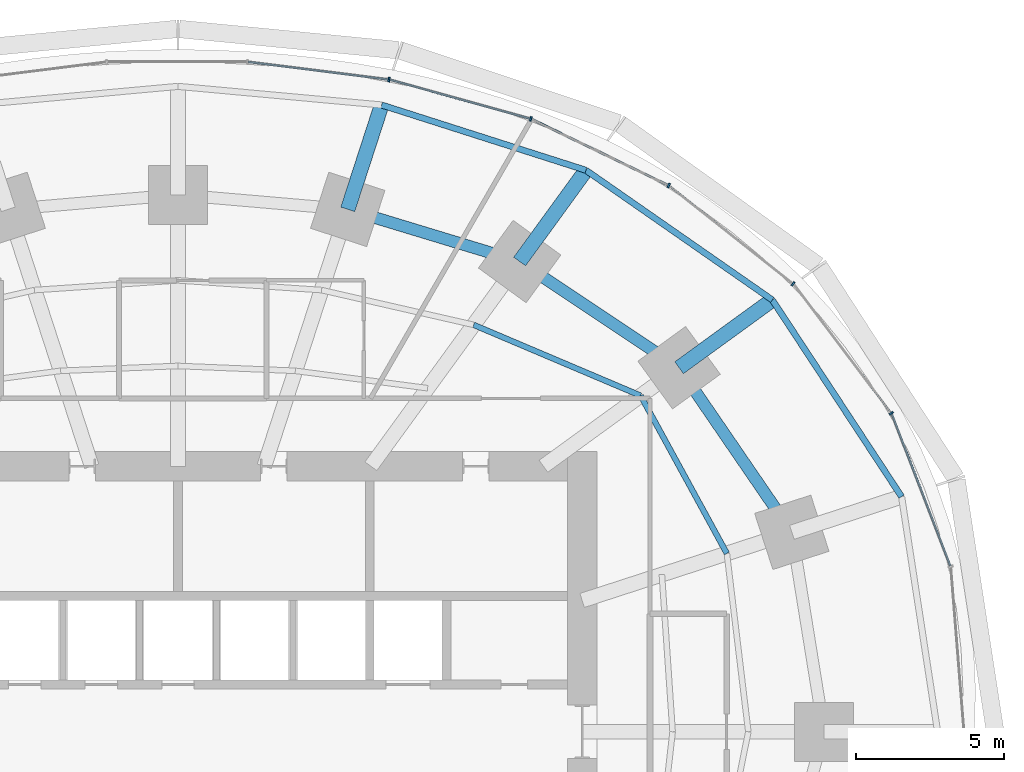
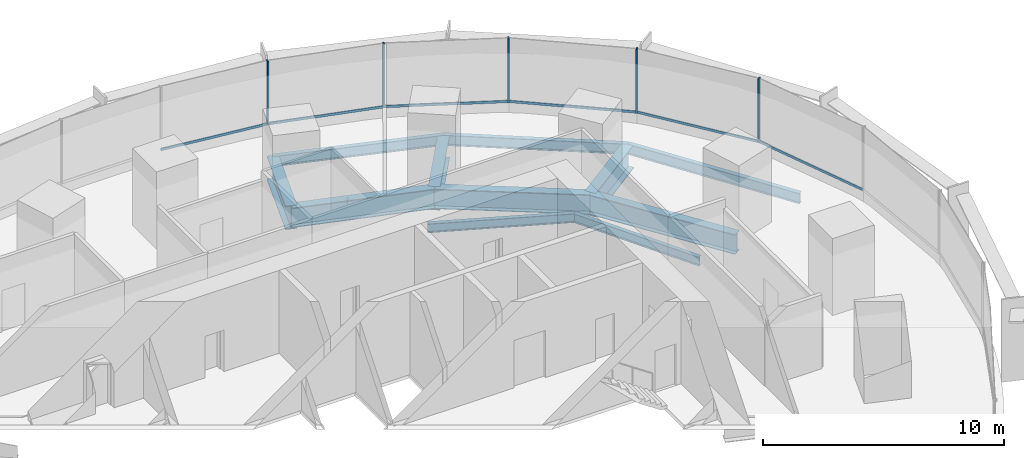
# One storey, part 9 of 15: 11 beams, 11 members, 2 elements without a shape of their own.
"""IFC4 building model written with IfcOpenShell, lengths in metres."""

from ifc_helpers import new_model, si_unit, direction, frame, origin, origin_2d, place, context, subcontext, project, spatial, rectangle, i_section, extrude, material, material_profile, profile_set, type_object, element, aggregate, save


model = new_model("IFC4")

# Units and contexts
model_context = context("Model", 3, precision=1e-05, world=origin(), true_north=direction((0.0, 1.0)))
body_context = subcontext(model_context, "Body", "Model", "MODEL_VIEW")
ifc_project = project(units=[si_unit("LENGTHUNIT", "METRE"), si_unit("AREAUNIT", "SQUARE_METRE"), si_unit("VOLUMEUNIT", "CUBIC_METRE"), si_unit("PLANEANGLEUNIT", "RADIAN"), si_unit("MASSUNIT", "GRAM", prefix="KILO")], contexts=[model_context])

# Site, building, storey
site_placement = place(None, origin())
site = spatial("IfcSite", under=ifc_project, at=site_placement, CompositionType="ELEMENT")
building_placement = place(site_placement, origin())
building = spatial("IfcBuilding", under=site, at=building_placement, Name="Marramba Exchange Tower", CompositionType="ELEMENT")
storey_placement = place(building_placement, frame((0.0, 0.0, 44.800048828125)))
storey = spatial("IfcBuildingStorey", under=building, at=storey_placement, Name="L10", CompositionType="ELEMENT", Elevation=44.800048828125)

# Beams
ifc_material_1 = material(Name="Steel AS/NZS 3679.2 grade 300", Category="steel")
ifc_material_profile_1 = material_profile(ifc_material_1, i_section(OverallWidth=0.5, OverallDepth=1.199951171875, WebThickness=0.01611328125, FlangeThickness=0.0400390625, at=origin_2d()), Name="1200WB455")
ifc_profile_set_1 = profile_set([ifc_material_profile_1], Name="Steel AS/NZS 3679.2 grade 300")
beam_type_1 = type_object("IfcBeamType", Name="Cantilever girder 1200WB455", PredefinedType="BEAM", material=ifc_profile_set_1)
beam_1_placement = place(storey_placement, frame((16.98583984375, 12.3408203125, -0.760009765625), z_axis=(0.808987260856, 0.587826174793, 0.0), x_axis=(-0.587826174793, 0.808987260856, 0.0)))
element("IfcBeam", 1, at=beam_1_placement, inside=storey, type_object=beam_type_1, Name="Cantilever girder L10 TC03", PredefinedType="BEAM", context=body_context, shape_type="SweptSolid", body=[
    extrude(i_section(OverallWidth=0.5, OverallDepth=1.199951171875, WebThickness=0.01611328125, FlangeThickness=0.0400390625, at=origin_2d()), origin(), (0.0, 0.0, 1.0), 3.90771484375),
])
beam_2_placement = place(storey_placement, frame((11.581298828125, 15.9404296875, -0.760009765625), z_axis=(0.587795827483, 0.809009310944, 0.0), x_axis=(-0.809009310944, 0.587795827483, 0.0)))
element("IfcBeam", 2, at=beam_2_placement, inside=storey, type_object=beam_type_1, Name="Cantilever girder L10 TC04", PredefinedType="BEAM", context=body_context, shape_type="SweptSolid", body=[
    extrude(i_section(OverallWidth=0.5, OverallDepth=1.199951171875, WebThickness=0.01611328125, FlangeThickness=0.0400390625, at=origin_2d()), origin(), (0.0, 0.0, 1.0), 3.82421875),
])
beam_3_placement = place(storey_placement, frame((5.75390625, 17.70849609375, -0.760009765625), z_axis=(0.308973290646, 0.951070715387, 0.0), x_axis=(-0.951070715387, 0.308973290646, 0.0)))
element("IfcBeam", 3, at=beam_3_placement, inside=storey, type_object=beam_type_1, Name="Cantilever girder L10 TC05", PredefinedType="BEAM", context=body_context, shape_type="SweptSolid", body=[
    extrude(i_section(OverallWidth=0.5, OverallDepth=1.199951171875, WebThickness=0.01611328125, FlangeThickness=0.0400390625, at=origin_2d()), origin(), (0.0, 0.0, 1.0), 3.72021484375),
])
ifc_material_2 = material(Name="Steel AS/NZS 3679.1 grade 300", Category="steel")
ifc_material_profile_2 = material_profile(ifc_material_2, i_section(OverallWidth=0.18994140625, OverallDepth=0.4541015625, WebThickness=0.008544921875, FlangeThickness=0.0126953125, FilletRadius=0.011474609375, at=origin_2d()), Name="460UB67.1")
ifc_profile_set_2 = profile_set([ifc_material_profile_2], Name="Steel AS/NZS 3679.1 grade 300")
beam_type_2 = type_object("IfcBeamType", Name="Floor joist 460UB67.1", PredefinedType="JOIST", material=ifc_profile_set_2)
beam_4_placement = place(storey_placement, frame((18.60546875, 6.04541015625, -0.386962890625), z_axis=(-0.479584443791, 0.877495732909, 0.0), x_axis=(-0.877495732909, -0.479584443791, 0.0)))
element("IfcBeam", 4, at=beam_4_placement, inside=storey, type_object=beam_type_2, Name="Joist L10 bay 02 row 2", PredefinedType="JOIST", context=body_context, shape_type="SweptSolid", body=[
    extrude(i_section(OverallWidth=0.18994140625, OverallDepth=0.4541015625, WebThickness=0.008544921875, FlangeThickness=0.0126953125, FilletRadius=0.011474609375, at=origin_2d()), origin(), (0.0, 0.0, 1.0), 6.094970703125),
])
beam_5_placement = place(storey_placement, frame((15.682373046875, 11.393798828125, -0.386962890625), z_axis=(-0.920674336375, 0.390331610738, 0.0), x_axis=(-0.390331610738, -0.920674336375, 0.0)))
element("IfcBeam", 5, at=beam_5_placement, inside=storey, type_object=beam_type_2, Name="Joist L10 bay 03 row 2", PredefinedType="JOIST", context=body_context, shape_type="SweptSolid", body=[
    extrude(i_section(OverallWidth=0.18994140625, OverallDepth=0.4541015625, WebThickness=0.008544921875, FlangeThickness=0.0126953125, FilletRadius=0.011474609375, at=origin_2d()), origin(), (0.0, 0.0, 1.0), 6.1484375),
])
ifc_material_profile_3 = material_profile(ifc_material_1, i_section(OverallWidth=0.39990234375, OverallDepth=1.0, WebThickness=0.01611328125, FlangeThickness=0.031982421875, at=origin_2d()), Name="1000WB322")
ifc_profile_set_3 = profile_set([ifc_material_profile_3], Name="Steel AS/NZS 3679.2 grade 300")
beam_type_3 = type_object("IfcBeamType", Name="Ring beam 1000WB322", PredefinedType="SPANDREL", material=ifc_profile_set_3)
beam_6_placement = place(storey_placement, frame((20.808349609375, 6.760986328125, -0.66015625), z_axis=(-0.56516002054, 0.824981303535, 0.0), x_axis=(-0.824981303535, -0.56516002054, 0.0)))
element("IfcBeam", 6, at=beam_6_placement, inside=storey, type_object=beam_type_3, Name="Ring beam L10 TC02-TC03", PredefinedType="SPANDREL", context=body_context, shape_type="SweptSolid", body=[
    extrude(i_section(OverallWidth=0.39990234375, OverallDepth=1.0, WebThickness=0.01611328125, FlangeThickness=0.031982421875, at=origin_2d()), origin(), (0.0, 0.0, 1.0), 6.763671875),
])
beam_7_placement = place(storey_placement, frame((16.98583984375, 12.3408203125, -0.66015625), z_axis=(-0.832293151443, 0.554335737673, 0.0), x_axis=(-0.554335737673, -0.832293151443, 0.0)))
element("IfcBeam", 7, at=beam_7_placement, inside=storey, type_object=beam_type_3, Name="Ring beam L10 TC03-TC04", PredefinedType="SPANDREL", context=body_context, shape_type="SweptSolid", body=[
    extrude(i_section(OverallWidth=0.39990234375, OverallDepth=1.0, WebThickness=0.01611328125, FlangeThickness=0.031982421875, at=origin_2d()), origin(), (0.0, 0.0, 1.0), 6.49365234375),
])
beam_8_placement = place(storey_placement, frame((11.581298828125, 15.9404296875, -0.66015625), z_axis=(-0.956924542524, 0.290336735387, 0.0), x_axis=(-0.290336735387, -0.956924542524, 0.0)))
element("IfcBeam", 8, at=beam_8_placement, inside=storey, type_object=beam_type_3, Name="Ring beam L10 TC04-TC05", PredefinedType="SPANDREL", context=body_context, shape_type="SweptSolid", body=[
    extrude(i_section(OverallWidth=0.39990234375, OverallDepth=1.0, WebThickness=0.01611328125, FlangeThickness=0.031982421875, at=origin_2d()), origin(), (0.0, 0.0, 1.0), 6.089599609375),
])
ifc_material_profile_4 = material_profile(ifc_material_2, i_section(OverallWidth=0.208984375, OverallDepth=0.528076171875, WebThickness=0.009521484375, FlangeThickness=0.01318359375, FilletRadius=0.013916015625, at=origin_2d()), Name="530UB82.0")
ifc_profile_set_4 = profile_set([ifc_material_profile_4], Name="Steel AS/NZS 3679.1 grade 300")
beam_type_4 = type_object("IfcBeamType", Name="Slab edge beam 530UB82.0", PredefinedType="SPANDREL", material=ifc_profile_set_4)
beam_9_placement = place(storey_placement, frame((24.528564453125, 7.9697265625, -0.424072265625), z_axis=(-0.549123544095, 0.835741188001, 0.0), x_axis=(-0.835741188001, -0.549123544095, 0.0)))
element("IfcBeam", 9, at=beam_9_placement, inside=storey, type_object=beam_type_4, Name="Slab edge beam L10 TC02-TC03", PredefinedType="SPANDREL", context=body_context, shape_type="SweptSolid", body=[
    extrude(i_section(OverallWidth=0.208984375, OverallDepth=0.528076171875, WebThickness=0.009521484375, FlangeThickness=0.01318359375, FilletRadius=0.013916015625, at=origin_2d()), origin(), (0.0, 0.0, 1.0), 7.978759765625),
])
beam_10_placement = place(storey_placement, frame((20.147216796875, 14.637939453125, -0.424072265625), z_axis=(-0.820842487183, 0.571154629882, 0.0), x_axis=(-0.571154629882, -0.820842487183, 0.0)))
element("IfcBeam", 10, at=beam_10_placement, inside=storey, type_object=beam_type_4, Name="Slab edge beam L10 TC03-TC04", PredefinedType="SPANDREL", context=body_context, shape_type="SweptSolid", body=[
    extrude(i_section(OverallWidth=0.208984375, OverallDepth=0.528076171875, WebThickness=0.009521484375, FlangeThickness=0.01318359375, FilletRadius=0.013916015625, at=origin_2d()), origin(), (0.0, 0.0, 1.0), 7.697021484375),
])
beam_11_placement = place(storey_placement, frame((13.8291015625, 19.0341796875, -0.424072265625), z_axis=(-0.952577642997, 0.304295635957, 0.0), x_axis=(-0.304295635957, -0.952577642997, 0.0)))
element("IfcBeam", 11, at=beam_11_placement, inside=storey, type_object=beam_type_4, Name="Slab edge beam L10 TC04-TC05", PredefinedType="SPANDREL", context=body_context, shape_type="SweptSolid", body=[
    extrude(i_section(OverallWidth=0.208984375, OverallDepth=0.528076171875, WebThickness=0.009521484375, FlangeThickness=0.01318359375, FilletRadius=0.013916015625, at=origin_2d()), origin(), (0.0, 0.0, 1.0), 7.2705078125),
])

# Curtain wall, members
ifc_material_3 = material(Name="Aluminium framing, bronze anodised", Category="aluminium")
curtain_wall_type = type_object("IfcCurtainWallType", Name="Trading floor ribbon curtain wall", PredefinedType="USERDEFINED", material=ifc_material_3)
curtain_wall_1_placement = place(storey_placement, origin())
curtain_wall_1 = element("IfcCurtainWall", 12, at=curtain_wall_1_placement, inside=storey, type_object=curtain_wall_type, Name="Curtain wall CW3 L10 F01-F05", ObjectType="RIBBON CURTAIN WALL", PredefinedType="USERDEFINED")
ifc_material_4 = material(Name="Aluminium mullion, bronze anodised", Category="aluminium")
ifc_material_profile_5 = material_profile(ifc_material_4, rectangle(XDim=0.159912109375, YDim=0.06005859375, at=origin_2d()), Name="CW3 mullion 60x160")
ifc_profile_set_5 = profile_set([ifc_material_profile_5], Name="Aluminium mullion, bronze anodised")
member_type_1 = type_object("IfcMemberType", Name="Trading floor ribbon curtain wall mullion", PredefinedType="MULLION", material=ifc_profile_set_5)
member_1_placement = place(storey_placement, frame((24.178466796875, 10.796875, 0.800048828125), z_axis=(0.0, 0.0, 1.0), x_axis=(-0.797748922445, -0.602989765036, 0.0)))
member_1 = element("IfcMember", 13, at=member_1_placement, type_object=member_type_1, Name="CW3 mullion 1", PredefinedType="MULLION", context=body_context, shape_type="SweptSolid", body=[
    extrude(rectangle(XDim=0.159912109375, YDim=0.06005859375, at=origin_2d()), origin(), (0.0, 0.0, 1.0), 3.239990234375),
])
member_2_placement = place(storey_placement, frame((20.851806640625, 15.185546875, 0.800048828125), z_axis=(0.0, 0.0, 1.0), x_axis=(-0.620649730166, -0.784087949432, 0.0)))
member_2 = element("IfcMember", 14, at=member_2_placement, type_object=member_type_1, Name="CW3 mullion 1", PredefinedType="MULLION", context=body_context, shape_type="SweptSolid", body=[
    extrude(rectangle(XDim=0.159912109375, YDim=0.06005859375, at=origin_2d()), origin(), (0.0, 0.0, 1.0), 3.239990234375),
])
member_3_placement = place(storey_placement, frame((16.63330078125, 18.516357421875, 0.800048828125), z_axis=(0.0, 0.0, 1.0), x_axis=(-0.43596538664, -0.899963433508, 0.0)))
member_3 = element("IfcMember", 15, at=member_3_placement, type_object=member_type_1, Name="CW3 mullion 1", PredefinedType="MULLION", context=body_context, shape_type="SweptSolid", body=[
    extrude(rectangle(XDim=0.159912109375, YDim=0.06005859375, at=origin_2d()), origin(), (0.0, 0.0, 1.0), 3.239990234375),
])

curtain_wall_2_placement = place(storey_placement, origin())
curtain_wall_2 = element("IfcCurtainWall", 16, at=curtain_wall_2_placement, inside=storey, type_object=curtain_wall_type, Name="Curtain wall CW3 L10 F06-F10", ObjectType="RIBBON CURTAIN WALL", PredefinedType="USERDEFINED")
member_4_placement = place(storey_placement, frame((11.96044921875, 20.774169921875, 0.800048828125), z_axis=(0.0, 0.0, 1.0), x_axis=(-0.267808735815, -0.963472096649, 0.0)))
member_4 = element("IfcMember", 17, at=member_4_placement, type_object=member_type_1, Name="CW3 mullion 1", PredefinedType="MULLION", context=body_context, shape_type="SweptSolid", body=[
    extrude(rectangle(XDim=0.159912109375, YDim=0.06005859375, at=origin_2d()), origin(), (0.0, 0.0, 1.0), 3.239990234375),
])
member_5_placement = place(storey_placement, frame((7.15185546875, 22.106201171875, 0.800048828125), z_axis=(0.0, 0.0, 1.0), x_axis=(-0.124872723099, -0.992172768738, 0.0)))
member_5 = element("IfcMember", 18, at=member_5_placement, type_object=member_type_1, Name="CW3 mullion 1", PredefinedType="MULLION", context=body_context, shape_type="SweptSolid", body=[
    extrude(rectangle(XDim=0.159912109375, YDim=0.06005859375, at=origin_2d()), origin(), (0.0, 0.0, 1.0), 3.239990234375),
])

# Member
ifc_material_5 = material(Name="Aluminium transom, bronze anodised", Category="aluminium")
ifc_material_profile_6 = material_profile(ifc_material_5, rectangle(XDim=0.06005859375, YDim=0.1201171875, at=origin_2d()), Name="CW3 transom 60x120")
ifc_profile_set_6 = profile_set([ifc_material_profile_6], Name="Aluminium transom, bronze anodised")
member_type_2 = type_object("IfcMemberType", Name="Trading floor ribbon curtain wall transom", PredefinedType="USERDEFINED", material=ifc_profile_set_6)
member_6_placement = place(storey_placement, frame((26.179931640625, 5.625244140625, 0.829833984375), z_axis=(-0.359533581349, 0.933132147063, 0.0), x_axis=(-0.933132147063, -0.359533581349, 0.0)))
member_6 = element("IfcMember", 19, at=member_6_placement, type_object=member_type_2, Name="CW3 sill transom", ObjectType="TRANSOM", PredefinedType="USERDEFINED", context=body_context, shape_type="SweptSolid", body=[
    extrude(rectangle(XDim=0.06005859375, YDim=0.1201171875, at=origin_2d()), origin(), (0.0, 0.0, 1.0), 5.5166015625),
])

member_7_placement = place(storey_placement, frame((24.160400390625, 10.82080078125, 0.829833984375), z_axis=(-0.602985866158, 0.797751869452, 0.0), x_axis=(-0.797751869452, -0.602985866158, 0.0)))
member_7 = element("IfcMember", 20, at=member_7_placement, type_object=member_type_2, Name="CW3 sill transom", ObjectType="TRANSOM", PredefinedType="USERDEFINED", context=body_context, shape_type="SweptSolid", body=[
    extrude(rectangle(XDim=0.06005859375, YDim=0.1201171875, at=origin_2d()), origin(), (0.0, 0.0, 1.0), 5.44775390625),
])

member_8_placement = place(storey_placement, frame((20.828369140625, 15.2041015625, 0.829833984375), z_axis=(-0.784097975735, 0.620637063385, 0.0), x_axis=(-0.620637063385, -0.784097975735, 0.0)))
member_8 = element("IfcMember", 21, at=member_8_placement, type_object=member_type_2, Name="CW3 sill transom", ObjectType="TRANSOM", PredefinedType="USERDEFINED", context=body_context, shape_type="SweptSolid", body=[
    extrude(rectangle(XDim=0.06005859375, YDim=0.1201171875, at=origin_2d()), origin(), (0.0, 0.0, 1.0), 5.315673828125),
])

member_9_placement = place(storey_placement, frame((16.6064453125, 18.529296875, 0.829833984375), z_axis=(-0.89995331781, 0.43598626786, 0.0), x_axis=(-0.43598626786, -0.89995331781, 0.0)))
member_9 = element("IfcMember", 22, at=member_9_placement, type_object=member_type_2, Name="CW3 sill transom", ObjectType="TRANSOM", PredefinedType="USERDEFINED", context=body_context, shape_type="SweptSolid", body=[
    extrude(rectangle(XDim=0.06005859375, YDim=0.1201171875, at=origin_2d()), origin(), (0.0, 0.0, 1.0), 5.13037109375),
])

aggregate(curtain_wall_1, [member_6, member_1, member_7, member_2, member_8, member_3, member_9])

member_10_placement = place(storey_placement, frame((11.931396484375, 20.7822265625, 0.829833984375), z_axis=(-0.963468938163, 0.267820098565, 0.0), x_axis=(-0.267820098565, -0.963468938163, 0.0)))
member_10 = element("IfcMember", 23, at=member_10_placement, type_object=member_type_2, Name="CW3 sill transom", ObjectType="TRANSOM", PredefinedType="USERDEFINED", context=body_context, shape_type="SweptSolid", body=[
    extrude(rectangle(XDim=0.06005859375, YDim=0.1201171875, at=origin_2d()), origin(), (0.0, 0.0, 1.0), 4.929931640625),
])

member_11_placement = place(storey_placement, frame((7.1220703125, 22.10986328125, 0.829833984375), z_axis=(-0.99216810728, 0.124909755012, 0.0), x_axis=(-0.124909755012, -0.99216810728, 0.0)))
member_11 = element("IfcMember", 24, at=member_11_placement, type_object=member_type_2, Name="CW3 sill transom", ObjectType="TRANSOM", PredefinedType="USERDEFINED", context=body_context, shape_type="SweptSolid", body=[
    extrude(rectangle(XDim=0.06005859375, YDim=0.1201171875, at=origin_2d()), origin(), (0.0, 0.0, 1.0), 4.77294921875),
])

aggregate(curtain_wall_2, [member_4, member_10, member_5, member_11])

save(model, "model.ifc")
